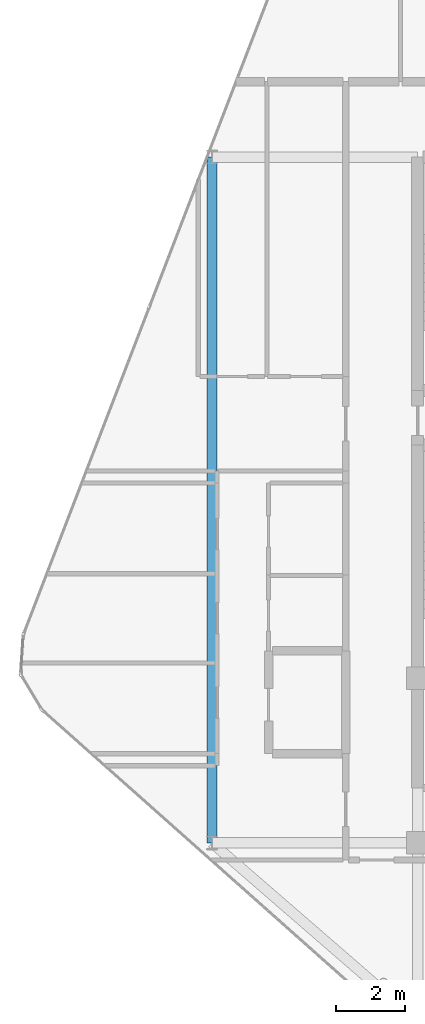
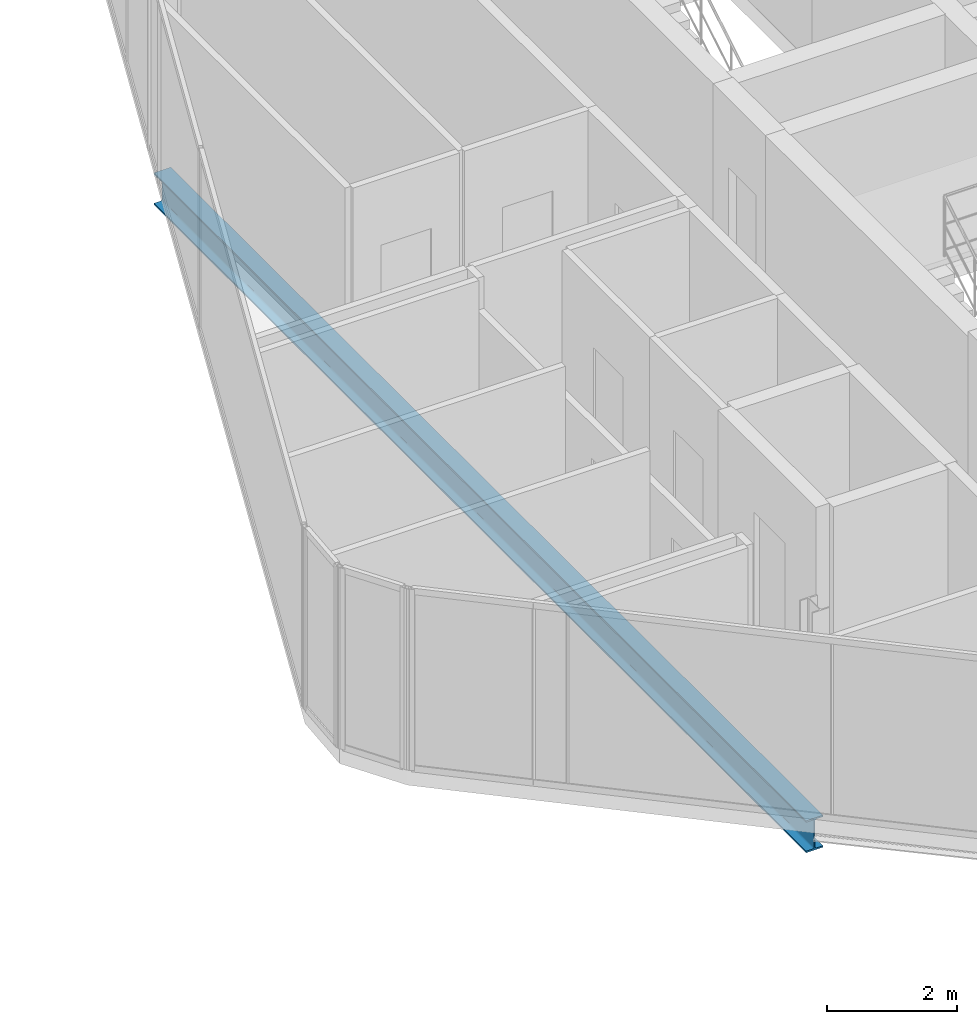
# One storey, part 9 of 27: 1 beam.
"""IFC4 building model written with IfcOpenShell, lengths in metres."""

from ifc_helpers import new_model, si_unit, direction, frame, origin, origin_2d, place, context, subcontext, project, spatial, i_section, extrude, material, material_profile, profile_set, type_object, element, save


model = new_model("IFC4")

# Units and contexts
model_context = context("Model", 3, precision=1e-05, world=origin(), true_north=direction((0.0, 1.0)))
body_context = subcontext(model_context, "Body", "Model", "MODEL_VIEW")
ifc_project = project(units=[si_unit("LENGTHUNIT", "METRE"), si_unit("AREAUNIT", "SQUARE_METRE"), si_unit("VOLUMEUNIT", "CUBIC_METRE"), si_unit("PLANEANGLEUNIT", "RADIAN"), si_unit("MASSUNIT", "GRAM", prefix="KILO")], contexts=[model_context])

# Site, building, storey
site_placement = place(None, origin())
site = spatial("IfcSite", under=ifc_project, at=site_placement, CompositionType="ELEMENT")
building_placement = place(site_placement, origin())
building = spatial("IfcBuilding", under=site, at=building_placement, Name="Keshet Zoharim Tower", CompositionType="ELEMENT")
storey_placement = place(building_placement, frame((0.0, 0.0, 307.300048828125)))
storey = spatial("IfcBuildingStorey", under=building, at=storey_placement, Name="L77", CompositionType="ELEMENT", Elevation=307.300048828125)

# Beam
ifc_material = material(Name="Steel S355", Category="steel")
ifc_material_profile = material_profile(ifc_material, i_section(OverallWidth=0.300048828125, OverallDepth=0.60009765625, WebThickness=0.015380859375, FlangeThickness=0.030029296875, FilletRadius=0.027099609375, at=origin_2d()), Name="HEB600")
ifc_profile_set = profile_set([ifc_material_profile], Name="Steel S355")
beam_type = type_object("IfcBeamType", Name="BM-LNG-HB600", PredefinedType="BEAM", material=ifc_profile_set)
beam_placement = place(storey_placement, frame((9.0, 17.89990234375, -0.610107421875), z_axis=(0.0, 1.0, 0.0), x_axis=(-1.0, 0.0, 0.0)))
element("IfcBeam", 1, at=beam_placement, inside=storey, type_object=beam_type, Name="L77 Primary Girder Y-001", PredefinedType="BEAM", context=body_context, shape_type="SweptSolid", body=[
    extrude(i_section(OverallWidth=0.300048828125, OverallDepth=0.60009765625, WebThickness=0.015380859375, FlangeThickness=0.030029296875, FilletRadius=0.027099609375, at=origin_2d()), origin(), (0.0, 0.0, 1.0), 20.0),
])

save(model, "model.ifc")
